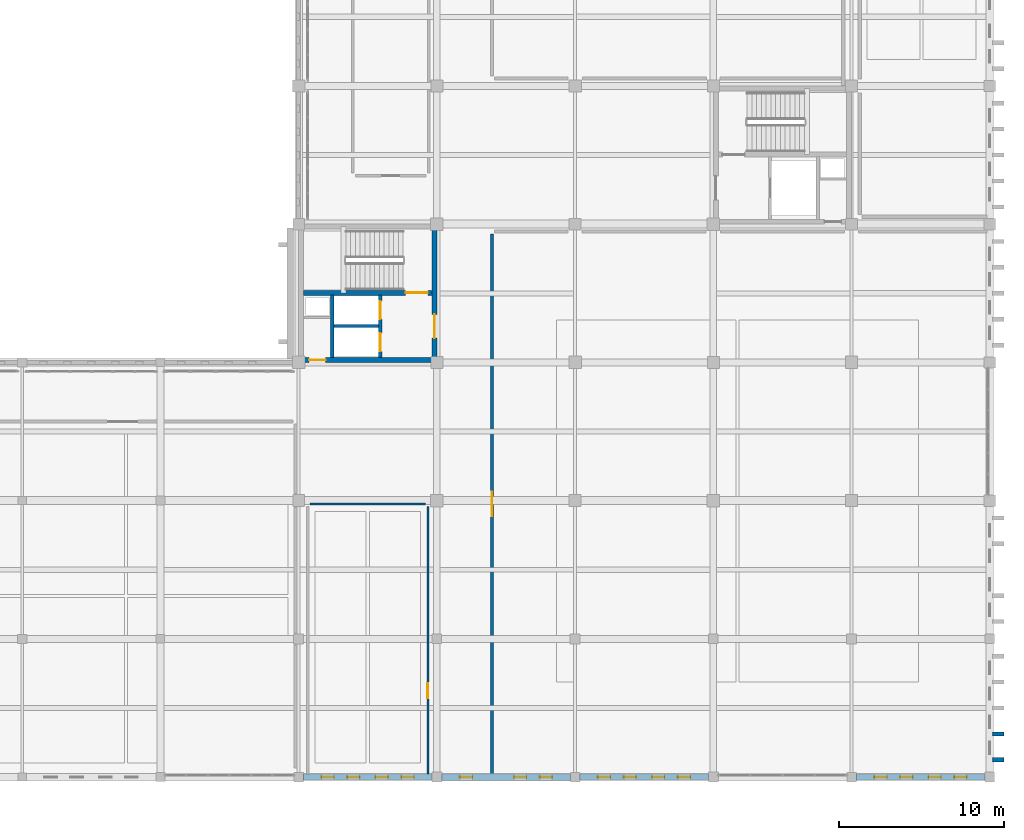
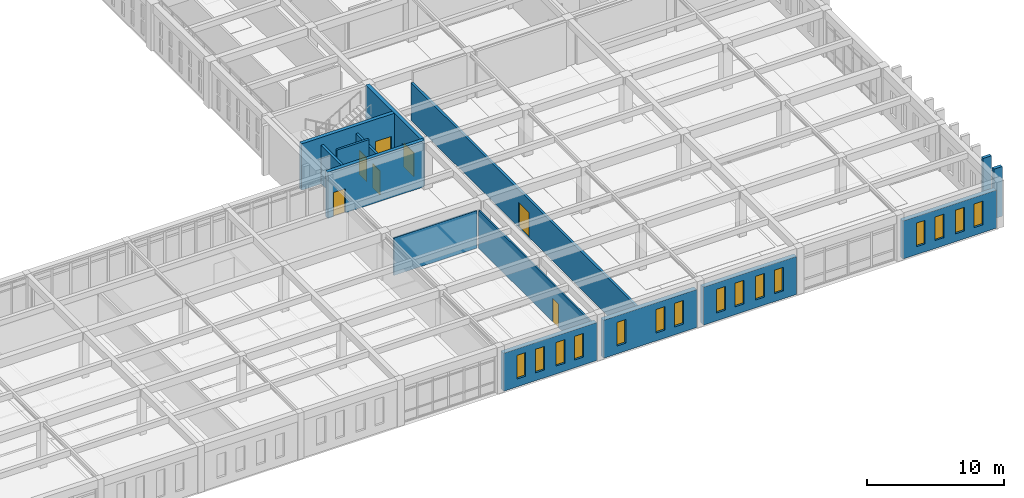
# One storey, part 175 of 192: 15 walls, 15 windows, 7 doors, 22 openings.
"""IFC4 building model written with IfcOpenShell, lengths in metres."""

from ifc_helpers import new_model, si_unit, direction, frame, frame_2d, origin, place, context, subcontext, project, spatial, rectangle, extrude, material, layer, layer_set, type_object, element, fill, save


model = new_model("IFC4")

# Units and contexts
model_context = context("Model", 3, precision=1e-05, world=origin(), true_north=direction((0.0, 1.0)))
body_context = subcontext(model_context, "Body", "Model", "MODEL_VIEW")
ifc_project = project(units=[si_unit("LENGTHUNIT", "METRE"), si_unit("AREAUNIT", "SQUARE_METRE"), si_unit("VOLUMEUNIT", "CUBIC_METRE"), si_unit("PLANEANGLEUNIT", "RADIAN"), si_unit("MASSUNIT", "GRAM", prefix="KILO")], contexts=[model_context])

# Site, building, storey
site_placement = place(None, origin())
site = spatial("IfcSite", under=ifc_project, at=site_placement, CompositionType="ELEMENT")
building_placement = place(site_placement, origin())
building = spatial("IfcBuilding", under=site, at=building_placement, Name="Kveldsbrygga Polytechnic", CompositionType="ELEMENT")
storey_placement = place(building_placement, frame((0.0, 0.0, 5.43994140625)))
storey = spatial("IfcBuildingStorey", under=building, at=storey_placement, Name="L01", CompositionType="ELEMENT", Elevation=5.43994140625)

# Wall, openings, windows
ifc_material_1 = material(Name="Fired clay brick masonry M10", Category="masonry")
ifc_layer_1 = layer(ifc_material_1, 0.3798828125)
ifc_layer_set_1 = layer_set([ifc_layer_1], Name="Fired clay brick masonry M10")
wall_type_1 = type_object("IfcWallType", Name="EW-BRICK-380", PredefinedType="SOLIDWALL", material=ifc_layer_set_1)
wall_1_placement = place(storey_placement, frame((126.27490234375, 0.0, 0.0), z_axis=(0.0, 0.0, 1.0), x_axis=(1.0, 0.0, 0.0)))
wall_1 = element("IfcWall", 1, at=wall_1_placement, inside=storey, type_object=wall_type_1, Name="Exterior Brick Wall EW-L01-X-15-00", PredefinedType="SOLIDWALL", context=body_context, shape_type="SweptSolid", body=[
    extrude(rectangle(XDim=7.840087890625, YDim=0.3798828125, at=frame_2d((3.919921875, 0.0))), origin(), (0.0, 0.0, 1.0), 3.380126953125),
])
opening_1_placement = place(wall_1_placement, frame((1.114501953125, 0.0, 0.699951171875)))
opening_1 = element("IfcOpeningElement", 2, at=opening_1_placement, cuts=wall_1, Name="Opening W-27", PredefinedType="OPENING", context=body_context, shape_type="SweptSolid", body=[
    extrude(rectangle(XDim=0.75, YDim=2.10009765625, at=frame_2d((0.375, 1.050048828125))), frame((0.0, 0.199951171875, 0.0), z_axis=(0.0, -1.0, 0.0), x_axis=(1.0, 0.0, 0.0)), (0.0, 0.0, 1.0), 0.39990234375),
])
opening_2_placement = place(wall_1_placement, frame((2.6826171875, 0.0, 0.699951171875)))
opening_2 = element("IfcOpeningElement", 3, at=opening_2_placement, cuts=wall_1, Name="Opening W-27", PredefinedType="OPENING", context=body_context, shape_type="SweptSolid", body=[
    extrude(rectangle(XDim=0.75, YDim=2.10009765625, at=frame_2d((0.375, 1.050048828125))), frame((0.0, 0.199951171875, 0.0), z_axis=(0.0, -1.0, 0.0), x_axis=(1.0, 0.0, 0.0)), (0.0, 0.0, 1.0), 0.39990234375),
])
opening_3_placement = place(wall_1_placement, frame((4.407470703125, 0.0, 0.699951171875)))
opening_3 = element("IfcOpeningElement", 4, at=opening_3_placement, cuts=wall_1, Name="Opening W-27", PredefinedType="OPENING", context=body_context, shape_type="SweptSolid", body=[
    extrude(rectangle(XDim=0.75, YDim=2.10009765625, at=frame_2d((0.375, 1.050048828125))), frame((0.0, 0.199951171875, 0.0), z_axis=(0.0, -1.0, 0.0), x_axis=(1.0, 0.0, 0.0)), (0.0, 0.0, 1.0), 0.39990234375),
])
opening_4_placement = place(wall_1_placement, frame((5.975341796875, 0.0, 0.699951171875)))
opening_4 = element("IfcOpeningElement", 5, at=opening_4_placement, cuts=wall_1, Name="Opening W-27", PredefinedType="OPENING", context=body_context, shape_type="SweptSolid", body=[
    extrude(rectangle(XDim=0.75, YDim=2.10009765625, at=frame_2d((0.375, 1.050048828125))), frame((0.0, 0.199951171875, 0.0), z_axis=(0.0, -1.0, 0.0), x_axis=(1.0, 0.0, 0.0)), (0.0, 0.0, 1.0), 0.39990234375),
])
ifc_material_2 = material(Name="Insulated triple low-E glass", Category="glass")
window_type = type_object("IfcWindowType", Name="WN-ATTIC-075x210", PartitioningType="DOUBLE_PANEL_VERTICAL", PredefinedType="WINDOW", material=ifc_material_2)
window_1_placement = place(opening_1_placement, origin())
window_1 = element("IfcWindow", 6, at=window_1_placement, inside=storey, type_object=window_type, Name="Gothic Lancet Window WIN-L01-X-15-00-1", OverallHeight=2.10009765625, OverallWidth=0.75, PartitioningType="DOUBLE_PANEL_VERTICAL", PredefinedType="WINDOW", context=body_context, shape_type="SweptSolid", body=[
    extrude(rectangle(XDim=0.75, YDim=2.10009765625, at=frame_2d((0.375, 1.050048828125))), frame((0.0, 0.030029296875, 0.0), z_axis=(0.0, -1.0, 0.0), x_axis=(1.0, 0.0, 0.0)), (0.0, 0.0, 1.0), 0.06005859375),
])
fill(opening_1, window_1)
window_2_placement = place(opening_2_placement, origin())
window_2 = element("IfcWindow", 7, at=window_2_placement, inside=storey, type_object=window_type, Name="Gothic Lancet Window WIN-L01-X-15-00-2", OverallHeight=2.10009765625, OverallWidth=0.75, PartitioningType="DOUBLE_PANEL_VERTICAL", PredefinedType="WINDOW", context=body_context, shape_type="SweptSolid", body=[
    extrude(rectangle(XDim=0.75, YDim=2.10009765625, at=frame_2d((0.375, 1.050048828125))), frame((0.0, 0.030029296875, 0.0), z_axis=(0.0, -1.0, 0.0), x_axis=(1.0, 0.0, 0.0)), (0.0, 0.0, 1.0), 0.06005859375),
])
fill(opening_2, window_2)
window_3_placement = place(opening_3_placement, origin())
window_3 = element("IfcWindow", 8, at=window_3_placement, inside=storey, type_object=window_type, Name="Gothic Lancet Window WIN-L01-X-15-00-3", OverallHeight=2.10009765625, OverallWidth=0.75, PartitioningType="DOUBLE_PANEL_VERTICAL", PredefinedType="WINDOW", context=body_context, shape_type="SweptSolid", body=[
    extrude(rectangle(XDim=0.75, YDim=2.10009765625, at=frame_2d((0.375, 1.050048828125))), frame((0.0, 0.030029296875, 0.0), z_axis=(0.0, -1.0, 0.0), x_axis=(1.0, 0.0, 0.0)), (0.0, 0.0, 1.0), 0.06005859375),
])
fill(opening_3, window_3)
window_4_placement = place(opening_4_placement, origin())
window_4 = element("IfcWindow", 9, at=window_4_placement, inside=storey, type_object=window_type, Name="Gothic Lancet Window WIN-L01-X-15-00-4", OverallHeight=2.10009765625, OverallWidth=0.75, PartitioningType="DOUBLE_PANEL_VERTICAL", PredefinedType="WINDOW", context=body_context, shape_type="SweptSolid", body=[
    extrude(rectangle(XDim=0.75, YDim=2.10009765625, at=frame_2d((0.375, 1.050048828125))), frame((0.0, 0.030029296875, 0.0), z_axis=(0.0, -1.0, 0.0), x_axis=(1.0, 0.0, 0.0)), (0.0, 0.0, 1.0), 0.06005859375),
])
fill(opening_4, window_4)

wall_2_placement = place(storey_placement, frame((143.074951171875, 0.0, 0.0), z_axis=(0.0, 0.0, 1.0), x_axis=(1.0, 0.0, 0.0)))
wall_2 = element("IfcWall", 10, at=wall_2_placement, inside=storey, type_object=wall_type_1, Name="Exterior Brick Wall EW-L01-X-17-00", PredefinedType="SOLIDWALL", context=body_context, shape_type="SweptSolid", body=[
    extrude(rectangle(XDim=7.840087890625, YDim=0.3798828125, at=frame_2d((3.919921875, 0.0))), origin(), (0.0, 0.0, 1.0), 3.380126953125),
])
opening_5_placement = place(wall_2_placement, frame((1.114501953125, 0.0, 0.699951171875)))
opening_5 = element("IfcOpeningElement", 11, at=opening_5_placement, cuts=wall_2, Name="Opening W-27", PredefinedType="OPENING", context=body_context, shape_type="SweptSolid", body=[
    extrude(rectangle(XDim=0.75, YDim=2.10009765625, at=frame_2d((0.375, 1.050048828125))), frame((0.0, 0.199951171875, 0.0), z_axis=(0.0, -1.0, 0.0), x_axis=(1.0, 0.0, 0.0)), (0.0, 0.0, 1.0), 0.39990234375),
])
opening_6_placement = place(wall_2_placement, frame((2.6826171875, 0.0, 0.699951171875)))
opening_6 = element("IfcOpeningElement", 12, at=opening_6_placement, cuts=wall_2, Name="Opening W-27", PredefinedType="OPENING", context=body_context, shape_type="SweptSolid", body=[
    extrude(rectangle(XDim=0.75, YDim=2.10009765625, at=frame_2d((0.375, 1.050048828125))), frame((0.0, 0.199951171875, 0.0), z_axis=(0.0, -1.0, 0.0), x_axis=(1.0, 0.0, 0.0)), (0.0, 0.0, 1.0), 0.39990234375),
])
opening_7_placement = place(wall_2_placement, frame((4.407470703125, 0.0, 0.699951171875)))
opening_7 = element("IfcOpeningElement", 13, at=opening_7_placement, cuts=wall_2, Name="Opening W-27", PredefinedType="OPENING", context=body_context, shape_type="SweptSolid", body=[
    extrude(rectangle(XDim=0.75, YDim=2.10009765625, at=frame_2d((0.375, 1.050048828125))), frame((0.0, 0.199951171875, 0.0), z_axis=(0.0, -1.0, 0.0), x_axis=(1.0, 0.0, 0.0)), (0.0, 0.0, 1.0), 0.39990234375),
])
opening_8_placement = place(wall_2_placement, frame((5.975341796875, 0.0, 0.699951171875)))
opening_8 = element("IfcOpeningElement", 14, at=opening_8_placement, cuts=wall_2, Name="Opening W-27", PredefinedType="OPENING", context=body_context, shape_type="SweptSolid", body=[
    extrude(rectangle(XDim=0.75, YDim=2.10009765625, at=frame_2d((0.375, 1.050048828125))), frame((0.0, 0.199951171875, 0.0), z_axis=(0.0, -1.0, 0.0), x_axis=(1.0, 0.0, 0.0)), (0.0, 0.0, 1.0), 0.39990234375),
])
window_5_placement = place(opening_5_placement, origin())
window_5 = element("IfcWindow", 15, at=window_5_placement, inside=storey, type_object=window_type, Name="Gothic Lancet Window WIN-L01-X-17-00-1", OverallHeight=2.10009765625, OverallWidth=0.75, PartitioningType="DOUBLE_PANEL_VERTICAL", PredefinedType="WINDOW", context=body_context, shape_type="SweptSolid", body=[
    extrude(rectangle(XDim=0.75, YDim=2.10009765625, at=frame_2d((0.375, 1.050048828125))), frame((0.0, 0.030029296875, 0.0), z_axis=(0.0, -1.0, 0.0), x_axis=(1.0, 0.0, 0.0)), (0.0, 0.0, 1.0), 0.06005859375),
])
fill(opening_5, window_5)
window_6_placement = place(opening_6_placement, origin())
window_6 = element("IfcWindow", 16, at=window_6_placement, inside=storey, type_object=window_type, Name="Gothic Lancet Window WIN-L01-X-17-00-2", OverallHeight=2.10009765625, OverallWidth=0.75, PartitioningType="DOUBLE_PANEL_VERTICAL", PredefinedType="WINDOW", context=body_context, shape_type="SweptSolid", body=[
    extrude(rectangle(XDim=0.75, YDim=2.10009765625, at=frame_2d((0.375, 1.050048828125))), frame((0.0, 0.030029296875, 0.0), z_axis=(0.0, -1.0, 0.0), x_axis=(1.0, 0.0, 0.0)), (0.0, 0.0, 1.0), 0.06005859375),
])
fill(opening_6, window_6)
window_7_placement = place(opening_7_placement, origin())
window_7 = element("IfcWindow", 17, at=window_7_placement, inside=storey, type_object=window_type, Name="Gothic Lancet Window WIN-L01-X-17-00-3", OverallHeight=2.10009765625, OverallWidth=0.75, PartitioningType="DOUBLE_PANEL_VERTICAL", PredefinedType="WINDOW", context=body_context, shape_type="SweptSolid", body=[
    extrude(rectangle(XDim=0.75, YDim=2.10009765625, at=frame_2d((0.375, 1.050048828125))), frame((0.0, 0.030029296875, 0.0), z_axis=(0.0, -1.0, 0.0), x_axis=(1.0, 0.0, 0.0)), (0.0, 0.0, 1.0), 0.06005859375),
])
fill(opening_7, window_7)
window_8_placement = place(opening_8_placement, origin())
window_8 = element("IfcWindow", 18, at=window_8_placement, inside=storey, type_object=window_type, Name="Gothic Lancet Window WIN-L01-X-17-00-4", OverallHeight=2.10009765625, OverallWidth=0.75, PartitioningType="DOUBLE_PANEL_VERTICAL", PredefinedType="WINDOW", context=body_context, shape_type="SweptSolid", body=[
    extrude(rectangle(XDim=0.75, YDim=2.10009765625, at=frame_2d((0.375, 1.050048828125))), frame((0.0, 0.030029296875, 0.0), z_axis=(0.0, -1.0, 0.0), x_axis=(1.0, 0.0, 0.0)), (0.0, 0.0, 1.0), 0.06005859375),
])
fill(opening_8, window_8)

wall_3_placement = place(storey_placement, frame((159.875, 0.0, 0.0), z_axis=(0.0, 0.0, 1.0), x_axis=(1.0, 0.0, 0.0)))
wall_3 = element("IfcWall", 19, at=wall_3_placement, inside=storey, type_object=wall_type_1, Name="Exterior Brick Wall EW-L01-X-19-00", PredefinedType="SOLIDWALL", context=body_context, shape_type="SweptSolid", body=[
    extrude(rectangle(XDim=7.840087890625, YDim=0.3798828125, at=frame_2d((3.919921875, 0.0))), origin(), (0.0, 0.0, 1.0), 3.380126953125),
])
opening_9_placement = place(wall_3_placement, frame((1.114501953125, 0.0, 0.699951171875)))
opening_9 = element("IfcOpeningElement", 20, at=opening_9_placement, cuts=wall_3, Name="Opening W-27", PredefinedType="OPENING", context=body_context, shape_type="SweptSolid", body=[
    extrude(rectangle(XDim=0.75, YDim=2.10009765625, at=frame_2d((0.375, 1.050048828125))), frame((0.0, 0.199951171875, 0.0), z_axis=(0.0, -1.0, 0.0), x_axis=(1.0, 0.0, 0.0)), (0.0, 0.0, 1.0), 0.39990234375),
])
opening_10_placement = place(wall_3_placement, frame((2.6826171875, 0.0, 0.699951171875)))
opening_10 = element("IfcOpeningElement", 21, at=opening_10_placement, cuts=wall_3, Name="Opening W-27", PredefinedType="OPENING", context=body_context, shape_type="SweptSolid", body=[
    extrude(rectangle(XDim=0.75, YDim=2.10009765625, at=frame_2d((0.375, 1.050048828125))), frame((0.0, 0.199951171875, 0.0), z_axis=(0.0, -1.0, 0.0), x_axis=(1.0, 0.0, 0.0)), (0.0, 0.0, 1.0), 0.39990234375),
])
opening_11_placement = place(wall_3_placement, frame((4.407470703125, 0.0, 0.699951171875)))
opening_11 = element("IfcOpeningElement", 22, at=opening_11_placement, cuts=wall_3, Name="Opening W-27", PredefinedType="OPENING", context=body_context, shape_type="SweptSolid", body=[
    extrude(rectangle(XDim=0.75, YDim=2.10009765625, at=frame_2d((0.375, 1.050048828125))), frame((0.0, 0.199951171875, 0.0), z_axis=(0.0, -1.0, 0.0), x_axis=(1.0, 0.0, 0.0)), (0.0, 0.0, 1.0), 0.39990234375),
])
opening_12_placement = place(wall_3_placement, frame((5.975341796875, 0.0, 0.699951171875)))
opening_12 = element("IfcOpeningElement", 23, at=opening_12_placement, cuts=wall_3, Name="Opening W-27", PredefinedType="OPENING", context=body_context, shape_type="SweptSolid", body=[
    extrude(rectangle(XDim=0.75, YDim=2.10009765625, at=frame_2d((0.375, 1.050048828125))), frame((0.0, 0.199951171875, 0.0), z_axis=(0.0, -1.0, 0.0), x_axis=(1.0, 0.0, 0.0)), (0.0, 0.0, 1.0), 0.39990234375),
])
window_9_placement = place(opening_9_placement, origin())
window_9 = element("IfcWindow", 24, at=window_9_placement, inside=storey, type_object=window_type, Name="Gothic Lancet Window WIN-L01-X-19-00-1", OverallHeight=2.10009765625, OverallWidth=0.75, PartitioningType="DOUBLE_PANEL_VERTICAL", PredefinedType="WINDOW", context=body_context, shape_type="SweptSolid", body=[
    extrude(rectangle(XDim=0.75, YDim=2.10009765625, at=frame_2d((0.375, 1.050048828125))), frame((0.0, 0.030029296875, 0.0), z_axis=(0.0, -1.0, 0.0), x_axis=(1.0, 0.0, 0.0)), (0.0, 0.0, 1.0), 0.06005859375),
])
fill(opening_9, window_9)
window_10_placement = place(opening_10_placement, origin())
window_10 = element("IfcWindow", 25, at=window_10_placement, inside=storey, type_object=window_type, Name="Gothic Lancet Window WIN-L01-X-19-00-2", OverallHeight=2.10009765625, OverallWidth=0.75, PartitioningType="DOUBLE_PANEL_VERTICAL", PredefinedType="WINDOW", context=body_context, shape_type="SweptSolid", body=[
    extrude(rectangle(XDim=0.75, YDim=2.10009765625, at=frame_2d((0.375, 1.050048828125))), frame((0.0, 0.030029296875, 0.0), z_axis=(0.0, -1.0, 0.0), x_axis=(1.0, 0.0, 0.0)), (0.0, 0.0, 1.0), 0.06005859375),
])
fill(opening_10, window_10)
window_11_placement = place(opening_11_placement, origin())
window_11 = element("IfcWindow", 26, at=window_11_placement, inside=storey, type_object=window_type, Name="Gothic Lancet Window WIN-L01-X-19-00-3", OverallHeight=2.10009765625, OverallWidth=0.75, PartitioningType="DOUBLE_PANEL_VERTICAL", PredefinedType="WINDOW", context=body_context, shape_type="SweptSolid", body=[
    extrude(rectangle(XDim=0.75, YDim=2.10009765625, at=frame_2d((0.375, 1.050048828125))), frame((0.0, 0.030029296875, 0.0), z_axis=(0.0, -1.0, 0.0), x_axis=(1.0, 0.0, 0.0)), (0.0, 0.0, 1.0), 0.06005859375),
])
fill(opening_11, window_11)
window_12_placement = place(opening_12_placement, origin())
window_12 = element("IfcWindow", 27, at=window_12_placement, inside=storey, type_object=window_type, Name="Gothic Lancet Window WIN-L01-X-19-00-4", OverallHeight=2.10009765625, OverallWidth=0.75, PartitioningType="DOUBLE_PANEL_VERTICAL", PredefinedType="WINDOW", context=body_context, shape_type="SweptSolid", body=[
    extrude(rectangle(XDim=0.75, YDim=2.10009765625, at=frame_2d((0.375, 1.050048828125))), frame((0.0, 0.030029296875, 0.0), z_axis=(0.0, -1.0, 0.0), x_axis=(1.0, 0.0, 0.0)), (0.0, 0.0, 1.0), 0.06005859375),
])
fill(opening_12, window_12)

ifc_layer_2 = layer(ifc_material_1, 0.39990234375)
ifc_layer_set_2 = layer_set([ifc_layer_2], Name="Fired clay brick masonry M10")
wall_type_2 = type_object("IfcWallType", Name="EW-BRICK-400", PredefinedType="SOLIDWALL", material=ifc_layer_set_2)
wall_4_placement = place(storey_placement, frame((134.68505859375, 0.0, 0.0), z_axis=(0.0, 0.0, 1.0), x_axis=(1.0, 0.0, 0.0)))
wall_4 = element("IfcWall", 28, at=wall_4_placement, inside=storey, type_object=wall_type_2, Name="Exterior Brick Wall EW-L01-X-16-00", PredefinedType="SOLIDWALL", context=body_context, shape_type="SweptSolid", body=[
    extrude(rectangle(XDim=7.83984375, YDim=0.39990234375, at=frame_2d((3.919921875, 0.0))), origin(), (0.0, 0.0, 1.0), 3.380126953125),
])
opening_13_placement = place(wall_4_placement, frame((1.114501953125, 0.0, 0.699951171875)))
opening_13 = element("IfcOpeningElement", 29, at=opening_13_placement, cuts=wall_4, Name="Opening W-27", PredefinedType="OPENING", context=body_context, shape_type="SweptSolid", body=[
    extrude(rectangle(XDim=0.75, YDim=2.10009765625, at=frame_2d((0.375, 1.050048828125))), frame((0.0, 0.2099609375, 0.0), z_axis=(0.0, -1.0, 0.0), x_axis=(1.0, 0.0, 0.0)), (0.0, 0.0, 1.0), 0.419921875),
])
opening_14_placement = place(wall_4_placement, frame((4.407470703125, 0.0, 0.699951171875)))
opening_14 = element("IfcOpeningElement", 30, at=opening_14_placement, cuts=wall_4, Name="Opening W-27", PredefinedType="OPENING", context=body_context, shape_type="SweptSolid", body=[
    extrude(rectangle(XDim=0.75, YDim=2.10009765625, at=frame_2d((0.375, 1.050048828125))), frame((0.0, 0.2099609375, 0.0), z_axis=(0.0, -1.0, 0.0), x_axis=(1.0, 0.0, 0.0)), (0.0, 0.0, 1.0), 0.419921875),
])
opening_15_placement = place(wall_4_placement, frame((5.975341796875, 0.0, 0.699951171875)))
opening_15 = element("IfcOpeningElement", 31, at=opening_15_placement, cuts=wall_4, Name="Opening W-27", PredefinedType="OPENING", context=body_context, shape_type="SweptSolid", body=[
    extrude(rectangle(XDim=0.75, YDim=2.10009765625, at=frame_2d((0.375, 1.050048828125))), frame((0.0, 0.2099609375, 0.0), z_axis=(0.0, -1.0, 0.0), x_axis=(1.0, 0.0, 0.0)), (0.0, 0.0, 1.0), 0.419921875),
])
window_13_placement = place(opening_13_placement, origin())
window_13 = element("IfcWindow", 32, at=window_13_placement, inside=storey, type_object=window_type, Name="Gothic Lancet Window WIN-L01-X-16-00-1", OverallHeight=2.10009765625, OverallWidth=0.75, PartitioningType="DOUBLE_PANEL_VERTICAL", PredefinedType="WINDOW", context=body_context, shape_type="SweptSolid", body=[
    extrude(rectangle(XDim=0.75, YDim=2.10009765625, at=frame_2d((0.375, 1.050048828125))), frame((0.0, 0.030029296875, 0.0), z_axis=(0.0, -1.0, 0.0), x_axis=(1.0, 0.0, 0.0)), (0.0, 0.0, 1.0), 0.06005859375),
])
fill(opening_13, window_13)
window_14_placement = place(opening_14_placement, origin())
window_14 = element("IfcWindow", 33, at=window_14_placement, inside=storey, type_object=window_type, Name="Gothic Lancet Window WIN-L01-X-16-00-3", OverallHeight=2.10009765625, OverallWidth=0.75, PartitioningType="DOUBLE_PANEL_VERTICAL", PredefinedType="WINDOW", context=body_context, shape_type="SweptSolid", body=[
    extrude(rectangle(XDim=0.75, YDim=2.10009765625, at=frame_2d((0.375, 1.050048828125))), frame((0.0, 0.030029296875, 0.0), z_axis=(0.0, -1.0, 0.0), x_axis=(1.0, 0.0, 0.0)), (0.0, 0.0, 1.0), 0.06005859375),
])
fill(opening_14, window_14)
window_15_placement = place(opening_15_placement, origin())
window_15 = element("IfcWindow", 34, at=window_15_placement, inside=storey, type_object=window_type, Name="Gothic Lancet Window WIN-L01-X-16-00-4", OverallHeight=2.10009765625, OverallWidth=0.75, PartitioningType="DOUBLE_PANEL_VERTICAL", PredefinedType="WINDOW", context=body_context, shape_type="SweptSolid", body=[
    extrude(rectangle(XDim=0.75, YDim=2.10009765625, at=frame_2d((0.375, 1.050048828125))), frame((0.0, 0.030029296875, 0.0), z_axis=(0.0, -1.0, 0.0), x_axis=(1.0, 0.0, 0.0)), (0.0, 0.0, 1.0), 0.06005859375),
])
fill(opening_15, window_15)

# Walls
ifc_layer_3 = layer(ifc_material_1, 0.260009765625)
ifc_layer_set_3 = layer_set([ifc_layer_3], Name="Fired clay brick masonry M10")
wall_type_3 = type_object("IfcWallType", Name="EW-BUTT-260", PredefinedType="SOLIDWALL", material=ifc_layer_set_3)
for number, where, z_axis, x_axis, name in (
    (35, (168.1650390625, 1.050048828125, 0.0), (0.0, 0.0, 1.0), (1.0, 0.0, 0.0), "Gothic Brick Buttress Pier BUTT-L01-Y-20-00-1"),
    (36, (168.1650390625, 2.6201171875, 0.0), (0.0, 0.0, 1.0), (1.0, 0.0, 0.0), "Gothic Brick Buttress Pier BUTT-L01-Y-20-00-2"),
):
    element("IfcWall", number, at=place(storey_placement, frame(where, z_axis=z_axis, x_axis=x_axis)), inside=storey, type_object=wall_type_3, Name=name, PredefinedType="SOLIDWALL", context=body_context, shape_type="SweptSolid", body=[
        extrude(rectangle(XDim=0.699951171875, YDim=0.260009765625, at=frame_2d((0.35009765625, 0.0))), origin(), (0.0, 0.0, 1.0), 4.420166015625),
    ])

# Wall, opening, door
ifc_layer_4 = layer(ifc_material_1, 0.199951171875)
ifc_layer_set_4 = layer_set([ifc_layer_4], Name="Fired clay brick masonry M10")
wall_type_4 = type_object("IfcWallType", Name="IW-LAB-200", PredefinedType="PARTITIONING", material=ifc_layer_set_4)
wall_5_placement = place(storey_placement, frame((137.75, 0.179931640625, 0.0), z_axis=(0.0, 0.0, 1.0), x_axis=(0.0, 1.0, 0.0)))
wall_5 = element("IfcWall", 37, at=wall_5_placement, inside=storey, type_object=wall_type_4, Name="Partition Wall IW-SP-L01-LAB11-W1", PredefinedType="PARTITIONING", context=body_context, shape_type="SweptSolid", body=[
    extrude(rectangle(XDim=32.820068359375, YDim=0.199951171875, at=frame_2d((16.41015625, 0.0))), origin(), (0.0, 0.0, 1.0), 3.340087890625),
])
opening_16_placement = place(wall_5_placement, frame((15.659912109375, 0.0, 0.0)))
opening_16 = element("IfcOpeningElement", 38, at=opening_16_placement, cuts=wall_5, Name="Opening ID-L01-053", PredefinedType="OPENING", context=body_context, shape_type="SweptSolid", body=[
    extrude(rectangle(XDim=1.5, YDim=2.199951171875, at=frame_2d((0.75, 1.10009765625))), frame((0.0, 0.10986328125, 0.0), z_axis=(0.0, -1.0, 0.0), x_axis=(1.0, 0.0, 0.0)), (0.0, 0.0, 1.0), 0.219970703125),
])
ifc_material_3 = material(Name="Acoustic oak timber", Category="wood")
door_type_1 = type_object("IfcDoorType", Name="ID-LAB-150x220", OperationType="DOUBLE_DOOR_SINGLE_SWING", PredefinedType="DOOR", material=ifc_material_3)
door_1_placement = place(opening_16_placement, origin())
door_1 = element("IfcDoor", 39, at=door_1_placement, inside=storey, type_object=door_type_1, Name="Interior Door ID-L01-053", OperationType="DOUBLE_DOOR_SINGLE_SWING", OverallHeight=2.199951171875, OverallWidth=1.5, PredefinedType="DOOR", context=body_context, shape_type="SweptSolid", body=[
    extrude(rectangle(XDim=1.5, YDim=2.199951171875, at=frame_2d((0.75, 1.10009765625))), frame((0.0, 0.02490234375, 0.0), z_axis=(0.0, -1.0, 0.0), x_axis=(1.0, 0.0, 0.0)), (0.0, 0.0, 1.0), 0.050048828125),
])
fill(opening_16, door_1)

ifc_material_4 = material(Name="Moisture-resistant masonry M10", Category="masonry")
ifc_layer_5 = layer(ifc_material_4, 0.1298828125)
ifc_layer_set_5 = layer_set([ifc_layer_5], Name="Moisture-resistant masonry M10")
wall_type_5 = type_object("IfcWallType", Name="IW-SAN-130", PredefinedType="PARTITIONING", material=ifc_layer_set_5)
wall_6_placement = place(storey_placement, frame((133.85009765625, 0.179931640625, 0.0), z_axis=(0.0, 0.0, 1.0), x_axis=(0.0, 1.0, 0.0)))
wall_6 = element("IfcWall", 40, at=wall_6_placement, inside=storey, type_object=wall_type_5, Name="Partition Wall IW-SP-L01-WC1-E1", PredefinedType="PARTITIONING", context=body_context, shape_type="SweptSolid", body=[
    extrude(rectangle(XDim=16.27001953125, YDim=0.1298828125, at=frame_2d((8.135009765625, 0.0))), origin(), (0.0, 0.0, 1.0), 3.380126953125),
])
opening_17_placement = place(wall_6_placement, frame((4.611083984375, 0.0, 0.0)))
opening_17 = element("IfcOpeningElement", 41, at=opening_17_placement, cuts=wall_6, Name="Opening ID-L01-059", PredefinedType="OPENING", context=body_context, shape_type="SweptSolid", body=[
    extrude(rectangle(XDim=0.89990234375, YDim=2.10009765625, at=frame_2d((0.449951171875, 1.050048828125))), frame((0.0, 0.074951171875, 0.0), z_axis=(0.0, -1.0, 0.0), x_axis=(1.0, 0.0, 0.0)), (0.0, 0.0, 1.0), 0.14990234375),
])
door_type_2 = type_object("IfcDoorType", Name="ID-SAN-090x210", OperationType="NOTDEFINED", PredefinedType="DOOR", material=ifc_material_3)
door_2_placement = place(opening_17_placement, origin())
door_2 = element("IfcDoor", 42, at=door_2_placement, inside=storey, type_object=door_type_2, Name="Interior Door ID-L01-059", OperationType="SINGLE_SWING_LEFT", OverallHeight=2.10009765625, OverallWidth=0.89990234375, PredefinedType="DOOR", context=body_context, shape_type="SweptSolid", body=[
    extrude(rectangle(XDim=0.89990234375, YDim=2.10009765625, at=frame_2d((0.449951171875, 1.050048828125))), frame((0.0, 0.02490234375, 0.0), z_axis=(0.0, -1.0, 0.0), x_axis=(1.0, 0.0, 0.0)), (0.0, 0.0, 1.0), 0.050048828125),
])
fill(opening_17, door_2)

# Wall
wall_7_placement = place(storey_placement, frame((126.699951171875, 16.60009765625, 0.0), z_axis=(0.0, 0.0, 1.0), x_axis=(1.0, 0.0, 0.0)))
element("IfcWall", 43, at=wall_7_placement, inside=storey, type_object=wall_type_5, Name="Partition Wall IW-SP-L01-WC1-N1", PredefinedType="PARTITIONING", context=body_context, shape_type="SweptSolid", body=[
    extrude(rectangle(XDim=7.0, YDim=0.1298828125, at=frame_2d((3.5, 0.0))), origin(), (0.0, 0.0, 1.0), 3.340087890625),
])

# Wall, opening, door
ifc_material_5 = material(Name="Concrete C45/55", Category="concrete")
ifc_layer_6 = layer(ifc_material_5, 0.300048828125)
ifc_layer_set_6 = layer_set([ifc_layer_6], Name="Concrete C45/55")
wall_type_6 = type_object("IfcWallType", Name="WL-CORE-300", PredefinedType="SHEAR", material=ifc_layer_set_6)
wall_8_placement = place(storey_placement, frame((126.14990234375, 25.35009765625, 0.0), z_axis=(0.0, 0.0, 1.0), x_axis=(1.0, 0.0, 0.0)))
wall_8 = element("IfcWall", 44, at=wall_8_placement, inside=storey, type_object=wall_type_6, Name="Core C1 Shear Wall C1-L01-SW-S", PredefinedType="SHEAR", context=body_context, shape_type="SweptSolid", body=[
    extrude(rectangle(XDim=8.10009765625, YDim=0.300048828125, at=frame_2d((4.050048828125, 0.0))), origin(), (0.0, 0.0, 1.0), 4.1201171875),
])
opening_18_placement = place(wall_8_placement, frame((0.485107421875, 0.0, 0.0)))
opening_18 = element("IfcOpeningElement", 45, at=opening_18_placement, cuts=wall_8, Name="Opening ID-C1-L01-AWC", PredefinedType="OPENING", context=body_context, shape_type="SweptSolid", body=[
    extrude(rectangle(XDim=1.0, YDim=2.14990234375, at=frame_2d((0.5, 1.074951171875))), frame((0.0, 0.16015625, 0.0), z_axis=(0.0, -1.0, 0.0), x_axis=(1.0, 0.0, 0.0)), (0.0, 0.0, 1.0), 0.320068359375),
])
door_type_3 = type_object("IfcDoorType", Name="ID-AWC-100x215", OperationType="NOTDEFINED", PredefinedType="DOOR", material=ifc_material_3)
door_3_placement = place(opening_18_placement, origin())
door_3 = element("IfcDoor", 46, at=door_3_placement, inside=storey, type_object=door_type_3, Name="Accessible WC Door ID-C1-L01-AWC", OperationType="SINGLE_SWING_RIGHT", OverallHeight=2.14990234375, OverallWidth=1.0, PredefinedType="DOOR", context=body_context, shape_type="SweptSolid", body=[
    extrude(rectangle(XDim=1.0, YDim=2.14990234375, at=frame_2d((0.5, 1.074951171875))), frame((0.0, 0.02490234375, 0.0), z_axis=(0.0, -1.0, 0.0), x_axis=(1.0, 0.0, 0.0)), (0.0, 0.0, 1.0), 0.050048828125),
])
fill(opening_18, door_3)

wall_9_placement = place(storey_placement, frame((134.25, 25.35009765625, 0.0), z_axis=(0.0, 0.0, 1.0), x_axis=(0.0, 1.0, 0.0)))
wall_9 = element("IfcWall", 47, at=wall_9_placement, inside=storey, type_object=wall_type_6, Name="Core C1 Shear Wall C1-L01-SW-E", PredefinedType="SHEAR", context=body_context, shape_type="SweptSolid", body=[
    extrude(rectangle(XDim=8.099853515625, YDim=0.300048828125, at=frame_2d((4.0498046875, 0.0))), origin(), (0.0, 0.0, 1.0), 4.1201171875),
])
opening_19_placement = place(wall_9_placement, frame((1.324951171875, 0.0, 0.0)))
opening_19 = element("IfcOpeningElement", 48, at=opening_19_placement, cuts=wall_9, Name="Opening FD-C1-L01-LOB", PredefinedType="OPENING", context=body_context, shape_type="SweptSolid", body=[
    extrude(rectangle(XDim=1.449951171875, YDim=2.14990234375, at=frame_2d((0.72509765625, 1.074951171875))), frame((0.0, 0.16015625, 0.0), z_axis=(0.0, -1.0, 0.0), x_axis=(1.0, 0.0, 0.0)), (0.0, 0.0, 1.0), 0.320068359375),
])
ifc_material_6 = material(Name="Powder-coated galvanised steel", Category="steel")
door_type_4 = type_object("IfcDoorType", Name="ID-LOBBY-145x215", OperationType="DOUBLE_DOOR_SINGLE_SWING", PredefinedType="DOOR", material=ifc_material_6)
door_4_placement = place(opening_19_placement, origin())
door_4 = element("IfcDoor", 49, at=door_4_placement, inside=storey, type_object=door_type_4, Name="Core Lobby Fire Door FD-C1-L01-LOB", OperationType="DOUBLE_DOOR_SINGLE_SWING", OverallHeight=2.14990234375, OverallWidth=1.449951171875, PredefinedType="DOOR", context=body_context, shape_type="SweptSolid", body=[
    extrude(rectangle(XDim=1.449951171875, YDim=2.14990234375, at=frame_2d((0.72509765625, 1.074951171875))), frame((0.0, 0.02490234375, 0.0), z_axis=(0.0, -1.0, 0.0), x_axis=(1.0, 0.0, 0.0)), (0.0, 0.0, 1.0), 0.050048828125),
])
fill(opening_19, door_4)

wall_10_placement = place(storey_placement, frame((126.300048828125, 29.429931640625, 0.0), z_axis=(0.0, 0.0, 1.0), x_axis=(1.0, 0.0, 0.0)))
wall_10 = element("IfcWall", 50, at=wall_10_placement, inside=storey, type_object=wall_type_6, Name="Core C1 Shear Wall C1-L01-W-DIV", PredefinedType="SHEAR", context=body_context, shape_type="SweptSolid", body=[
    extrude(rectangle(XDim=7.800048828125, YDim=0.300048828125, at=frame_2d((3.89990234375, 0.0))), origin(), (0.0, 0.0, 1.0), 4.1201171875),
])
opening_20_placement = place(wall_10_placement, frame((6.199951171875, 0.0, 0.0)))
opening_20 = element("IfcOpeningElement", 51, at=opening_20_placement, cuts=wall_10, Name="Opening FD-C1-L01-ST", PredefinedType="OPENING", context=body_context, shape_type="SweptSolid", body=[
    extrude(rectangle(XDim=1.35009765625, YDim=2.14990234375, at=frame_2d((0.675048828125, 1.074951171875))), frame((0.0, 0.16015625, 0.0), z_axis=(0.0, -1.0, 0.0), x_axis=(1.0, 0.0, 0.0)), (0.0, 0.0, 1.0), 0.320068359375),
])
door_type_5 = type_object("IfcDoorType", Name="ID-STAIR-135x215", OperationType="NOTDEFINED", PredefinedType="DOOR", material=ifc_material_6)
door_5_placement = place(opening_20_placement, origin())
door_5 = element("IfcDoor", 52, at=door_5_placement, inside=storey, type_object=door_type_5, Name="Stair Fire Door FD-C1-L01-ST", OperationType="SINGLE_SWING_LEFT", OverallHeight=2.14990234375, OverallWidth=1.35009765625, PredefinedType="DOOR", context=body_context, shape_type="SweptSolid", body=[
    extrude(rectangle(XDim=1.35009765625, YDim=2.14990234375, at=frame_2d((0.675048828125, 1.074951171875))), frame((0.0, 0.02490234375, 0.0), z_axis=(0.0, -1.0, 0.0), x_axis=(1.0, 0.0, 0.0)), (0.0, 0.0, 1.0), 0.050048828125),
])
fill(opening_20, door_5)

# Wall
ifc_material_7 = material(Name="Concrete C35/45", Category="concrete")
ifc_layer_7 = layer(ifc_material_7, 0.179931640625)
ifc_layer_set_7 = layer_set([ifc_layer_7], Name="Concrete C35/45")
wall_type_7 = type_object("IfcWallType", Name="WL-SHFT-180", PredefinedType="SHEAR", material=ifc_layer_set_7)
wall_11_placement = place(storey_placement, frame((128.14990234375, 27.39990234375, 0.0), z_axis=(0.0, 0.0, 1.0), x_axis=(1.0, 0.0, 0.0)))
element("IfcWall", 53, at=wall_11_placement, inside=storey, type_object=wall_type_7, Name="Lift Divider Wall C1-L01-W-LMID", PredefinedType="SHEAR", context=body_context, shape_type="SweptSolid", body=[
    extrude(rectangle(XDim=2.7001953125, YDim=0.179931640625, at=frame_2d((1.35009765625, 0.0))), origin(), (0.0, 0.0, 1.0), 4.1201171875),
])

# Wall, openings, doors
ifc_layer_8 = layer(ifc_material_7, 0.199951171875)
ifc_layer_set_8 = layer_set([ifc_layer_8], Name="Concrete C35/45")
wall_type_8 = type_object("IfcWallType", Name="WL-SHFT-200", PredefinedType="SHEAR", material=ifc_layer_set_8)
wall_12_placement = place(storey_placement, frame((130.9599609375, 25.5, 0.0), z_axis=(0.0, 0.0, 1.0), x_axis=(0.0, 1.0, 0.0)))
wall_12 = element("IfcWall", 54, at=wall_12_placement, inside=storey, type_object=wall_type_8, Name="Lift Front Wall C1-L01-W-LFR", PredefinedType="SHEAR", context=body_context, shape_type="SweptSolid", body=[
    extrude(rectangle(XDim=3.800048828125, YDim=0.199951171875, at=frame_2d((1.89990234375, 0.0))), origin(), (0.0, 0.0, 1.0), 3.43994140625),
])
opening_21_placement = place(wall_12_placement, frame((0.375, 0.0, 0.0)))
opening_21 = element("IfcOpeningElement", 55, at=opening_21_placement, cuts=wall_12, Name="Opening LD-FL-1", PredefinedType="OPENING", context=body_context, shape_type="SweptSolid", body=[
    extrude(rectangle(XDim=1.10009765625, YDim=2.14990234375, at=frame_2d((0.550048828125, 1.074951171875))), frame((0.0, 0.10986328125, 0.0), z_axis=(0.0, -1.0, 0.0), x_axis=(1.0, 0.0, 0.0)), (0.0, 0.0, 1.0), 0.219970703125),
])
opening_22_placement = place(wall_12_placement, frame((2.324951171875, 0.0, 0.0)))
opening_22 = element("IfcOpeningElement", 56, at=opening_22_placement, cuts=wall_12, Name="Opening LD-LP-1", PredefinedType="OPENING", context=body_context, shape_type="SweptSolid", body=[
    extrude(rectangle(XDim=1.10009765625, YDim=2.14990234375, at=frame_2d((0.550048828125, 1.074951171875))), frame((0.0, 0.10986328125, 0.0), z_axis=(0.0, -1.0, 0.0), x_axis=(1.0, 0.0, 0.0)), (0.0, 0.0, 1.0), 0.219970703125),
])
ifc_material_8 = material(Name="Brushed stainless steel EN 1.4401", Category="steel")
door_type_6 = type_object("IfcDoorType", Name="LD-PAX-110x215", OperationType="SLIDING_TO_LEFT", PredefinedType="DOOR", material=ifc_material_8)
door_6_placement = place(opening_21_placement, origin())
door_6 = element("IfcDoor", 57, at=door_6_placement, inside=storey, type_object=door_type_6, Name="Lift Landing Sliding Door LD-FL-1-L01", OperationType="SLIDING_TO_LEFT", OverallHeight=2.14990234375, OverallWidth=1.10009765625, PredefinedType="DOOR", context=body_context, shape_type="SweptSolid", body=[
    extrude(rectangle(XDim=1.10009765625, YDim=2.14990234375, at=frame_2d((0.550048828125, 1.074951171875))), frame((0.0, 0.02490234375, 0.0), z_axis=(0.0, -1.0, 0.0), x_axis=(1.0, 0.0, 0.0)), (0.0, 0.0, 1.0), 0.050048828125),
])
fill(opening_21, door_6)
door_7_placement = place(opening_22_placement, origin())
door_7 = element("IfcDoor", 58, at=door_7_placement, inside=storey, type_object=door_type_6, Name="Lift Landing Sliding Door LD-LP-1-L01", OperationType="SLIDING_TO_LEFT", OverallHeight=2.14990234375, OverallWidth=1.10009765625, PredefinedType="DOOR", context=body_context, shape_type="SweptSolid", body=[
    extrude(rectangle(XDim=1.10009765625, YDim=2.14990234375, at=frame_2d((0.550048828125, 1.074951171875))), frame((0.0, 0.02490234375, 0.0), z_axis=(0.0, -1.0, 0.0), x_axis=(1.0, 0.0, 0.0)), (0.0, 0.0, 1.0), 0.050048828125),
])
fill(opening_22, door_7)

# Wall
wall_13_placement = place(storey_placement, frame((128.0400390625, 25.5, 0.0), z_axis=(0.0, 0.0, 1.0), x_axis=(0.0, 1.0, 0.0)))
element("IfcWall", 59, at=wall_13_placement, inside=storey, type_object=wall_type_8, Name="Lift Back Wall C1-L01-W-LBK", PredefinedType="SHEAR", context=body_context, shape_type="SweptSolid", body=[
    extrude(rectangle(XDim=3.800048828125, YDim=0.199951171875, at=frame_2d((1.89990234375, 0.0))), origin(), (0.0, 0.0, 1.0), 3.43994140625),
])

save(model, "model.ifc")
